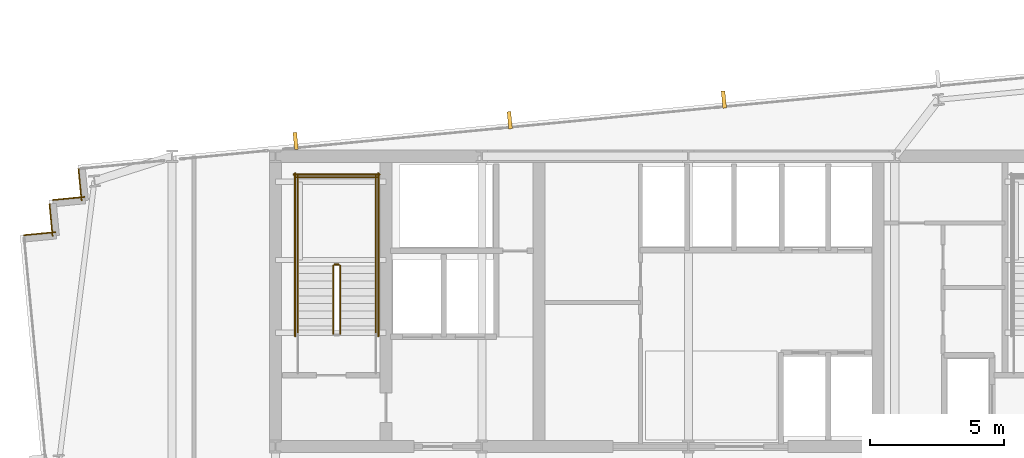
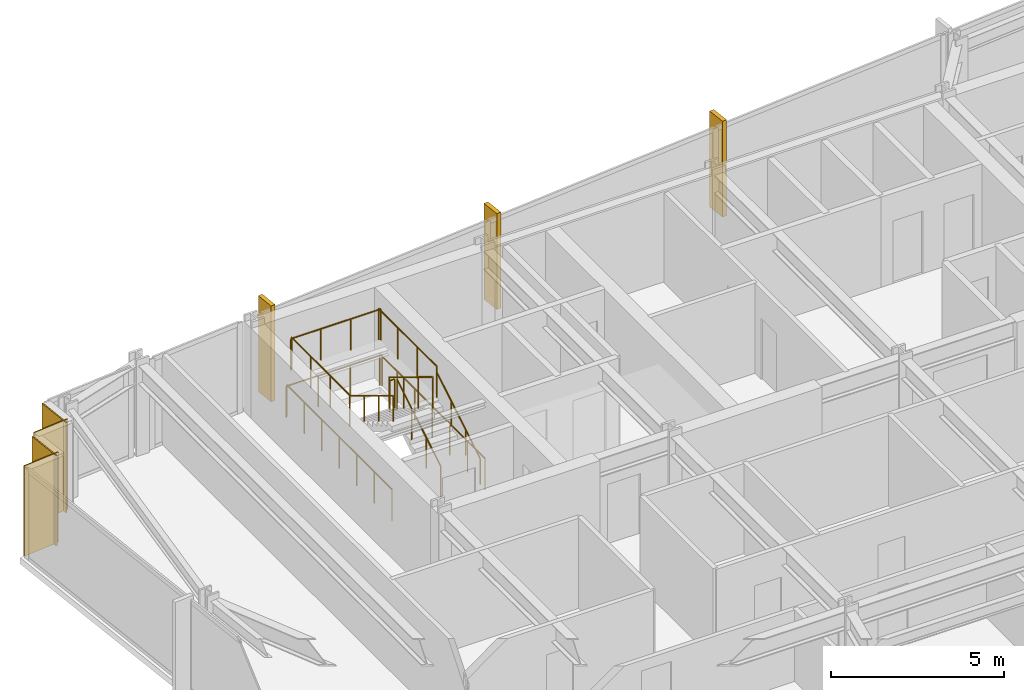
# One storey, part 32 of 33: 11 railings, 4 coverings, 3 shading devices.
"""IFC4 building model written with IfcOpenShell, lengths in metres."""

from ifc_helpers import new_model, si_unit, direction, frame, frame_2d, origin, origin_2d, place, context, subcontext, project, spatial, rectangle, circle, extrude, material, layer, layer_set, type_object, element, save


model = new_model("IFC4")

# Units and contexts
model_context = context("Model", 3, precision=1e-05, world=origin(), true_north=direction((0.0, 1.0)))
body_context = subcontext(model_context, "Body", "Model", "MODEL_VIEW")
ifc_project = project(units=[si_unit("LENGTHUNIT", "METRE"), si_unit("AREAUNIT", "SQUARE_METRE"), si_unit("VOLUMEUNIT", "CUBIC_METRE"), si_unit("PLANEANGLEUNIT", "RADIAN"), si_unit("MASSUNIT", "GRAM", prefix="KILO")], contexts=[model_context])

# Site, building, storey
site_placement = place(None, origin())
site = spatial("IfcSite", under=ifc_project, at=site_placement, CompositionType="ELEMENT")
building_placement = place(site_placement, origin())
building = spatial("IfcBuilding", under=site, at=building_placement, Name="Yelkora Congress Tower", CompositionType="ELEMENT")
storey_placement = place(building_placement, frame((0.0, 0.0, 106.699951171875)))
storey = spatial("IfcBuildingStorey", under=building, at=storey_placement, Name="L28", CompositionType="ELEMENT", Elevation=106.699951171875)

# Coverings
ifc_material_1 = material(Name="Anatolian bush-hammered limestone", Category="masonry")
ifc_layer_1 = layer(ifc_material_1, 0.0400390625)
ifc_layer_set_1 = layer_set([ifc_layer_1], Name="Anatolian bush-hammered limestone")
covering_type = type_object("IfcCoveringType", Name="COV-CLAD-SPANDREL-40", PredefinedType="CLADDING", material=ifc_layer_set_1)
for number, where, z_axis, x_axis, name in (
    (1, (13.677978515625, 43.260986328125, 0.0), (0.0, 0.0, 1.0), (0.995397091755, 0.095836473879, 0.0), "L28 Anatolian Limestone Cladding EW-L28-SR06"),
    (2, (14.7509765625, 43.228759765625, 0.0), (0.0, 0.0, 1.0), (-0.095836473879, 0.995397091755, 0.0), "L28 Anatolian Limestone Cladding EW-L28-SR07"),
):
    element("IfcCovering", number, at=place(storey_placement, frame(where, z_axis=z_axis, x_axis=x_axis)), inside=storey, type_object=covering_type, Name=name, PredefinedType="CLADDING", context=body_context, shape_type="SweptSolid", body=[
        extrude(rectangle(XDim=1.199951171875, YDim=0.0400390625, at=frame_2d((0.60009765625, 0.0))), origin(), (0.0, 0.0, 1.0), 3.179931640625),
    ])
for number, where, z_axis, x_axis, name in (
    (3, (14.75732421875, 44.570556640625, 0.0), (0.0, 0.0, 1.0), (0.995398960025, 0.095817067274, 0.0), "L28 Anatolian Limestone Cladding EW-L28-SR08"),
    (4, (15.830322265625, 44.5380859375, 0.0), (0.0, 0.0, 1.0), (-0.095817067274, 0.995398960025, 0.0), "L28 Anatolian Limestone Cladding EW-L28-SR09"),
):
    element("IfcCovering", number, at=place(storey_placement, frame(where, z_axis=z_axis, x_axis=x_axis)), inside=storey, type_object=covering_type, Name=name, PredefinedType="CLADDING", context=body_context, shape_type="SweptSolid", body=[
        extrude(rectangle(XDim=1.2001953125, YDim=0.0400390625, at=frame_2d((0.60009765625, 0.0))), origin(), (0.0, 0.0, 1.0), 3.179931640625),
    ])

# Railings
ifc_material_2 = material(Name="Painted galvanised steel stair well guard with vertical infill", Category="steel")
ifc_layer_2 = layer(ifc_material_2, 0.06005859375)
ifc_layer_set_2 = layer_set([ifc_layer_2], Name="Painted galvanised steel stair well guard with vertical infill")
railing_type_1 = type_object("IfcRailingType", Name="RAIL-STAIR-GUARD-1120", PredefinedType="GUARDRAIL", material=ifc_layer_set_2)
railing_1_placement = place(storey_placement, frame((25.449951171875, 39.60009765625, 0.170166015625)))
element("IfcRailing", 5, at=railing_1_placement, inside=storey, type_object=railing_type_1, Name="ST-01 L28 Stair Well Guardrail 1", PredefinedType="GUARDRAIL", context=body_context, shape_type="SweptSolid", body=[
    extrude(circle(Radius=0.02392578125, at=origin_2d()), frame((0.0, 0.0, 1.09619140625), z_axis=(0.0, 0.854821627497, 0.518921945155), x_axis=(-1.0, 0.0, 0.0)), (0.0, 0.0, 1.0), 2.947998046875),
    extrude(circle(Radius=0.02099609375, at=origin_2d()), origin(), (0.0, 0.0, 1.0), 1.072021484375),
    extrude(circle(Radius=0.02099609375, at=origin_2d()), frame((0.0, 0.840087890625, 0.510009765625)), (0.0, 0.0, 1.0), 1.072021484375),
    extrude(circle(Radius=0.02099609375, at=origin_2d()), frame((0.0, 1.679931640625, 1.019775390625)), (0.0, 0.0, 1.0), 1.072021484375),
    extrude(circle(Radius=0.02099609375, at=origin_2d()), frame((0.0, 2.52001953125, 1.52978515625)), (0.0, 0.0, 1.0), 1.072021484375),
])
railing_2_placement = place(storey_placement, frame((25.39990234375, 42.169921875, 1.699951171875)))
element("IfcRailing", 6, at=railing_2_placement, inside=storey, type_object=railing_type_1, Name="ST-01 L28 Stair Well Guardrail 2", PredefinedType="GUARDRAIL", context=body_context, shape_type="SweptSolid", body=[
    extrude(circle(Radius=0.02392578125, at=origin_2d()), frame((0.0, 0.0, 1.09619140625), z_axis=(-1.0, 0.0, 0.0), x_axis=(0.0, -1.0, 0.0)), (0.0, 0.0, 1.0), 0.159912109375),
    extrude(circle(Radius=0.02099609375, at=origin_2d()), origin(), (0.0, 0.0, 1.0), 1.072021484375),
    extrude(circle(Radius=0.02099609375, at=origin_2d()), frame((-0.159912109375, 0.0, 0.0)), (0.0, 0.0, 1.0), 1.072021484375),
])
for number, where, name in (
    (7, (26.77001953125, 42.1201171875, 1.699951171875), "ST-01 L28 Stair Well Guardrail 3"),
    (8, (23.8701171875, 42.1201171875, 1.699951171875), "ST-01 L28 Stair Well Guardrail 4"),
):
    element("IfcRailing", number, at=place(storey_placement, frame(where)), inside=storey, type_object=railing_type_1, Name=name, PredefinedType="GUARDRAIL", context=body_context, shape_type="SweptSolid", body=[
        extrude(circle(Radius=0.02392578125, at=origin_2d()), frame((0.0, 0.0, 1.09619140625), z_axis=(0.0, 1.0, 0.0), x_axis=(-1.0, 0.0, 0.0)), (0.0, 0.0, 1.0), 3.349853515625),
        extrude(circle(Radius=0.02099609375, at=origin_2d()), origin(), (0.0, 0.0, 1.0), 1.072021484375),
        extrude(circle(Radius=0.02099609375, at=origin_2d()), frame((0.0, 1.11669921875, 0.0)), (0.0, 0.0, 1.0), 1.072021484375),
        extrude(circle(Radius=0.02099609375, at=origin_2d()), frame((0.0, 2.233154296875, 0.0)), (0.0, 0.0, 1.0), 1.072021484375),
        extrude(circle(Radius=0.02099609375, at=origin_2d()), frame((0.0, 3.349853515625, 0.0)), (0.0, 0.0, 1.0), 1.072021484375),
    ])
railing_3_placement = place(storey_placement, frame((26.820068359375, 45.419921875, 1.699951171875)))
element("IfcRailing", 9, at=railing_3_placement, inside=storey, type_object=railing_type_1, Name="ST-01 L28 Stair Well Guardrail 5", PredefinedType="GUARDRAIL", context=body_context, shape_type="SweptSolid", body=[
    extrude(circle(Radius=0.02392578125, at=origin_2d()), frame((0.0, 0.0, 1.09619140625), z_axis=(-1.0, 0.0, 0.0), x_axis=(0.0, -1.0, 0.0)), (0.0, 0.0, 1.0), 3.0),
    extrude(circle(Radius=0.02099609375, at=origin_2d()), origin(), (0.0, 0.0, 1.0), 1.072021484375),
    extrude(circle(Radius=0.02099609375, at=origin_2d()), frame((-1.0, 0.0, 0.0)), (0.0, 0.0, 1.0), 1.072021484375),
    extrude(circle(Radius=0.02099609375, at=origin_2d()), frame((-2.0, 0.0, 0.0)), (0.0, 0.0, 1.0), 1.072021484375),
    extrude(circle(Radius=0.02099609375, at=origin_2d()), frame((-3.0, 0.0, 0.0)), (0.0, 0.0, 1.0), 1.072021484375),
])
railing_4_placement = place(storey_placement, frame((25.18994140625, 42.1201171875, 1.8701171875)))
element("IfcRailing", 10, at=railing_4_placement, inside=storey, type_object=railing_type_1, Name="ST-01 L28 Stair Well Guardrail 6", PredefinedType="GUARDRAIL", context=body_context, shape_type="SweptSolid", body=[
    extrude(circle(Radius=0.02392578125, at=origin_2d()), frame((0.0, 0.0, 1.09619140625), z_axis=(0.0, -0.85478489116, 0.518982456201), x_axis=(1.0, 0.0, 0.0)), (0.0, 0.0, 1.0), 2.9482421875),
    extrude(circle(Radius=0.02099609375, at=origin_2d()), origin(), (0.0, 0.0, 1.0), 1.072021484375),
    extrude(circle(Radius=0.02099609375, at=origin_2d()), frame((0.0, -0.840087890625, 0.510009765625)), (0.0, 0.0, 1.0), 1.072021484375),
    extrude(circle(Radius=0.02099609375, at=origin_2d()), frame((0.0, -1.679931640625, 1.02001953125)), (0.0, 0.0, 1.0), 1.072021484375),
    extrude(circle(Radius=0.02099609375, at=origin_2d()), frame((0.0, -2.52001953125, 1.530029296875)), (0.0, 0.0, 1.0), 1.072021484375),
])
for number, where, name in (
    (11, (26.8701171875, 39.5, 0.0), "ST-01 L28 Stair Well Guardrail 10"),
    (12, (23.77001953125, 39.5, 0.0), "ST-01 L28 Stair Well Guardrail 11"),
):
    element("IfcRailing", number, at=place(storey_placement, frame(where)), inside=storey, type_object=railing_type_1, Name=name, PredefinedType="GUARDRAIL", context=body_context, shape_type="SweptSolid", body=[
        extrude(circle(Radius=0.02392578125, at=origin_2d()), frame((0.0, 0.0, 1.09619140625), z_axis=(0.0, 1.0, 0.0), x_axis=(-1.0, 0.0, 0.0)), (0.0, 0.0, 1.0), 6.070068359375),
        extrude(circle(Radius=0.02099609375, at=origin_2d()), origin(), (0.0, 0.0, 1.0), 1.072021484375),
        extrude(circle(Radius=0.02099609375, at=origin_2d()), frame((0.0, 1.01171875, 0.0)), (0.0, 0.0, 1.0), 1.072021484375),
        extrude(circle(Radius=0.02099609375, at=origin_2d()), frame((0.0, 2.0234375, 0.0)), (0.0, 0.0, 1.0), 1.072021484375),
        extrude(circle(Radius=0.02099609375, at=origin_2d()), frame((0.0, 3.03515625, 0.0)), (0.0, 0.0, 1.0), 1.072021484375),
        extrude(circle(Radius=0.02099609375, at=origin_2d()), frame((0.0, 4.046630859375, 0.0)), (0.0, 0.0, 1.0), 1.072021484375),
        extrude(circle(Radius=0.02099609375, at=origin_2d()), frame((0.0, 5.058349609375, 0.0)), (0.0, 0.0, 1.0), 1.072021484375),
        extrude(circle(Radius=0.02099609375, at=origin_2d()), frame((0.0, 6.070068359375, 0.0)), (0.0, 0.0, 1.0), 1.072021484375),
    ])
railing_5_placement = place(storey_placement, frame((26.919921875, 45.52001953125, 0.0)))
element("IfcRailing", 13, at=railing_5_placement, inside=storey, type_object=railing_type_1, Name="ST-01 L28 Stair Well Guardrail 12", PredefinedType="GUARDRAIL", context=body_context, shape_type="SweptSolid", body=[
    extrude(circle(Radius=0.02392578125, at=origin_2d()), frame((0.0, 0.0, 1.09619140625), z_axis=(-1.0, 0.0, 0.0), x_axis=(0.0, -1.0, 0.0)), (0.0, 0.0, 1.0), 3.199951171875),
    extrude(circle(Radius=0.02099609375, at=origin_2d()), origin(), (0.0, 0.0, 1.0), 1.072021484375),
    extrude(circle(Radius=0.02099609375, at=origin_2d()), frame((-1.066650390625, 0.0, 0.0)), (0.0, 0.0, 1.0), 1.072021484375),
    extrude(circle(Radius=0.02099609375, at=origin_2d()), frame((-2.13330078125, 0.0, 0.0)), (0.0, 0.0, 1.0), 1.072021484375),
    extrude(circle(Radius=0.02099609375, at=origin_2d()), frame((-3.199951171875, 0.0, 0.0)), (0.0, 0.0, 1.0), 1.072021484375),
])
ifc_material_3 = material(Name="Brushed stainless steel tubular handrail", Category="steel")
ifc_layer_3 = layer(ifc_material_3, 0.050048828125)
ifc_layer_set_3 = layer_set([ifc_layer_3], Name="Brushed stainless steel tubular handrail")
railing_type_2 = type_object("IfcRailingType", Name="RAIL-STAIR-HAND-920", PredefinedType="HANDRAIL", material=ifc_layer_set_3)
railing_6_placement = place(storey_placement, frame((26.77001953125, 39.60009765625, 0.170166015625)))
element("IfcRailing", 14, at=railing_6_placement, inside=storey, type_object=railing_type_2, Name="ST-01 L28 Pitch Handrail 1", PredefinedType="HANDRAIL", context=body_context, shape_type="SweptSolid", body=[
    extrude(circle(Radius=0.02392578125, at=origin_2d()), frame((0.0, 0.0, 0.89599609375), z_axis=(0.0, 0.854821627497, 0.518921945155), x_axis=(-1.0, 0.0, 0.0)), (0.0, 0.0, 1.0), 2.947998046875),
    extrude(circle(Radius=0.02099609375, at=origin_2d()), origin(), (0.0, 0.0, 1.0), 0.871826171875),
    extrude(circle(Radius=0.02099609375, at=origin_2d()), frame((0.0, 0.840087890625, 0.510009765625)), (0.0, 0.0, 1.0), 0.871826171875),
    extrude(circle(Radius=0.02099609375, at=origin_2d()), frame((0.0, 1.679931640625, 1.019775390625)), (0.0, 0.0, 1.0), 0.871826171875),
    extrude(circle(Radius=0.02099609375, at=origin_2d()), frame((0.0, 2.52001953125, 1.52978515625)), (0.0, 0.0, 1.0), 0.871826171875),
])
railing_7_placement = place(storey_placement, frame((23.8701171875, 42.1201171875, 1.8701171875)))
element("IfcRailing", 15, at=railing_7_placement, inside=storey, type_object=railing_type_2, Name="ST-01 L28 Pitch Handrail 2", PredefinedType="HANDRAIL", context=body_context, shape_type="SweptSolid", body=[
    extrude(circle(Radius=0.02392578125, at=origin_2d()), frame((0.0, 0.0, 0.89599609375), z_axis=(0.0, -0.85478489116, 0.518982456201), x_axis=(1.0, 0.0, 0.0)), (0.0, 0.0, 1.0), 2.9482421875),
    extrude(circle(Radius=0.02099609375, at=origin_2d()), origin(), (0.0, 0.0, 1.0), 0.871826171875),
    extrude(circle(Radius=0.02099609375, at=origin_2d()), frame((0.0, -0.840087890625, 0.510009765625)), (0.0, 0.0, 1.0), 0.871826171875),
    extrude(circle(Radius=0.02099609375, at=origin_2d()), frame((0.0, -1.679931640625, 1.02001953125)), (0.0, 0.0, 1.0), 0.871826171875),
    extrude(circle(Radius=0.02099609375, at=origin_2d()), frame((0.0, -2.52001953125, 1.530029296875)), (0.0, 0.0, 1.0), 0.871826171875),
])

# Shading devices
ifc_material_4 = material(Name="Champagne anodised aluminium", Category="aluminium")
ifc_layer_4 = layer(ifc_material_4, 3.39990234375)
ifc_layer_set_4 = layer_set([ifc_layer_4], Name="Champagne anodised aluminium")
shading_device_type = type_object("IfcShadingDeviceType", Name="SHD-FIN-ALU-640", PredefinedType="USERDEFINED", material=ifc_layer_set_4)
for number, where, z_axis, x_axis, name in (
    (16, (23.791015625, 46.771484375, -0.02978515625), (0.0, 0.0, 1.0), (0.995396198367, 0.09584575252, 0.0), "L28 Vertical Anodised Solar Fin 10-1"),
    (17, (31.7568359375, 47.53857421875, -0.02978515625), (0.0, 0.0, 1.0), (0.995396198367, 0.09584575252, 0.0), "L28 Vertical Anodised Solar Fin 10-2"),
    (18, (39.722900390625, 48.3056640625, -0.02978515625), (0.0, 0.0, 1.0), (0.995396198367, 0.09584575252, 0.0), "L28 Vertical Anodised Solar Fin 10-3"),
):
    element("IfcShadingDevice", number, at=place(storey_placement, frame(where, z_axis=z_axis, x_axis=x_axis)), inside=storey, type_object=shading_device_type, Name=name, ObjectType="FIN", PredefinedType="USERDEFINED", context=body_context, shape_type="SweptSolid", body=[
        extrude(rectangle(XDim=0.139892578125, YDim=0.639892578125, at=origin_2d()), origin(), (0.0, 0.0, 1.0), 3.3798828125),
    ])

save(model, "model.ifc")
